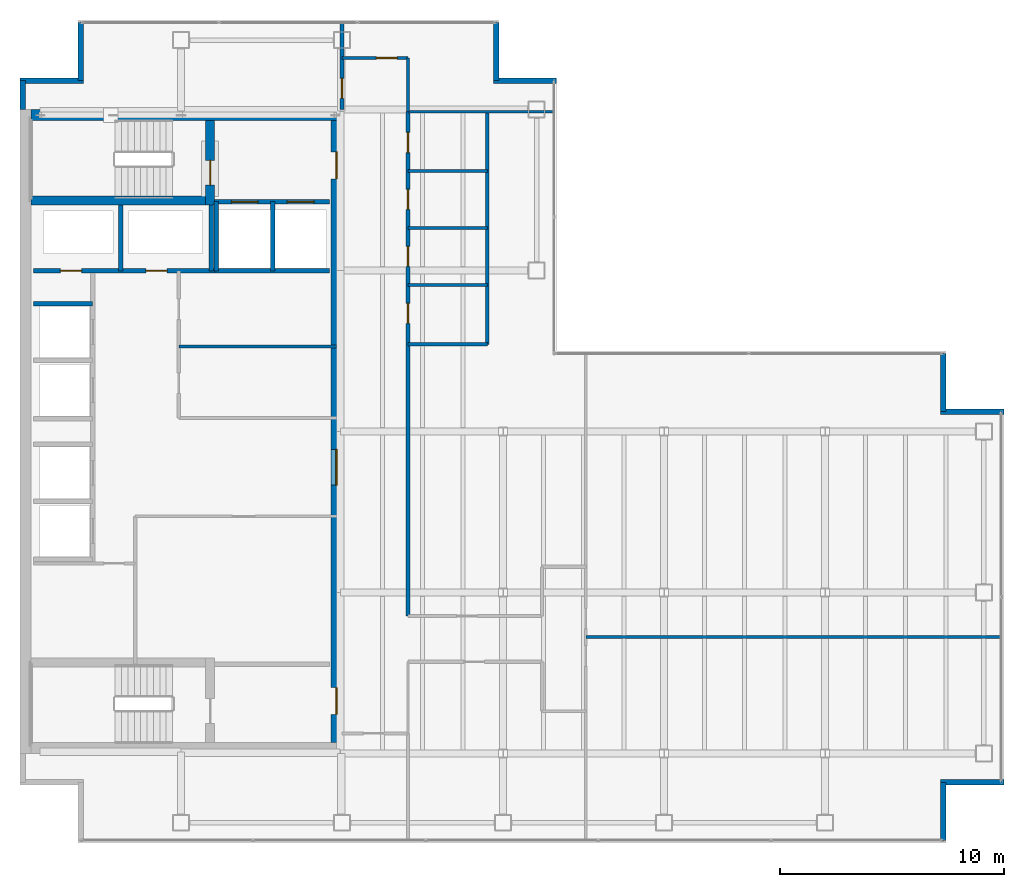
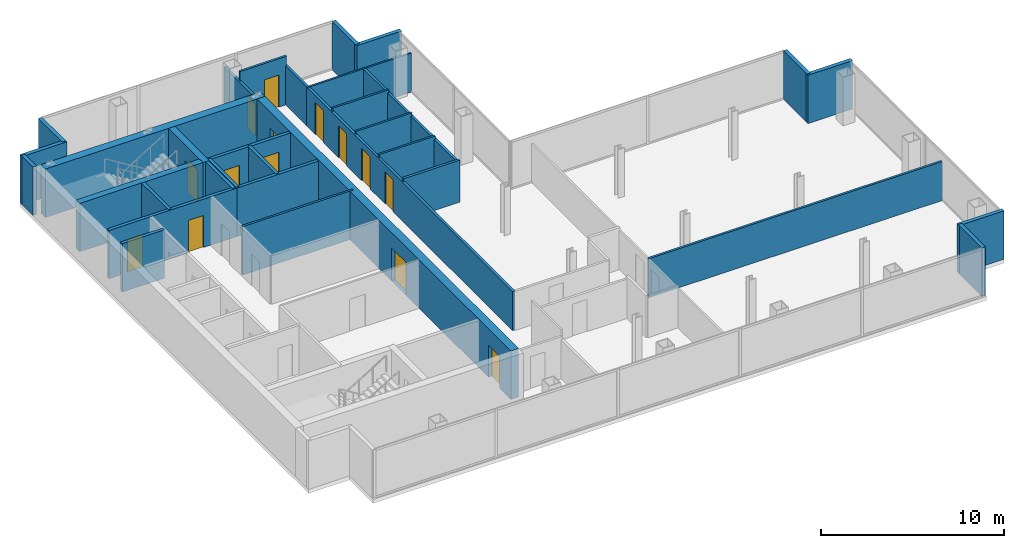
# One storey, part 21 of 23: 33 walls, 14 doors, 14 openings.
"""IFC4 building model written with IfcOpenShell, lengths in metres."""

from ifc_helpers import new_model, si_unit, direction, frame, frame_2d, origin, place, context, subcontext, project, spatial, rectangle, extrude, material, layer, layer_set, type_object, element, fill, save


model = new_model("IFC4")

# Units and contexts
model_context = context("Model", 3, precision=1e-05, world=origin(), true_north=direction((0.0, 1.0)))
body_context = subcontext(model_context, "Body", "Model", "MODEL_VIEW")
ifc_project = project(units=[si_unit("LENGTHUNIT", "METRE"), si_unit("AREAUNIT", "SQUARE_METRE"), si_unit("VOLUMEUNIT", "CUBIC_METRE"), si_unit("PLANEANGLEUNIT", "RADIAN"), si_unit("MASSUNIT", "GRAM", prefix="KILO")], contexts=[model_context])

# Site, building, storey
site_placement = place(None, origin())
site = spatial("IfcSite", under=ifc_project, at=site_placement, CompositionType="ELEMENT")
building_placement = place(site_placement, origin())
building = spatial("IfcBuilding", under=site, at=building_placement, Name="Cobrela Telecom Tower", CompositionType="ELEMENT")
storey_placement = place(building_placement, frame((0.0, 0.0, 201.25)))
storey = spatial("IfcBuildingStorey", under=building, at=storey_placement, Name="L51", CompositionType="ELEMENT", Elevation=201.25)

# Wall
ifc_material_1 = material(Name="Concrete C40/50", Category="concrete")
ifc_layer_1 = layer(ifc_material_1, 0.5)
ifc_layer_set_1 = layer_set([ifc_layer_1], Name="Concrete C40/50")
wall_type_1 = type_object("IfcWallType", Name="WALL-CORE-C40-500", PredefinedType="SHEAR", material=ifc_layer_set_1)
wall_1_placement = place(storey_placement, frame((0.5, 35.75, 0.0), z_axis=(0.0, 0.0, 1.0), x_axis=(1.0, 0.0, 0.0)))
element("IfcWall", 1, at=wall_1_placement, inside=storey, type_object=wall_type_1, Name="L51 North Core Shear Wall", PredefinedType="SHEAR", context=body_context, shape_type="SweptSolid", body=[
    extrude(rectangle(XDim=13.89990234375, YDim=0.5, at=frame_2d((6.949951171875, 0.0))), origin(), (0.0, 0.0, 1.0), 3.239990234375),
])

# Wall, openings, doors
wall_2_placement = place(storey_placement, frame((14.14990234375, 35.5, 0.0), z_axis=(0.0, 0.0, 1.0), x_axis=(0.0, -1.0, 0.0)))
wall_2 = element("IfcWall", 2, at=wall_2_placement, inside=storey, type_object=wall_type_1, Name="L51 East Core Shear Wall", PredefinedType="SHEAR", context=body_context, shape_type="SweptSolid", body=[
    extrude(rectangle(XDim=27.800048828125, YDim=0.5, at=frame_2d((13.89990234375, 0.0))), origin(), (0.0, 0.0, 1.0), 3.239990234375),
])
opening_1_placement = place(wall_2_placement, frame((1.39990234375, 0.0, 0.0)))
opening_1 = element("IfcOpeningElement", 3, at=opening_1_placement, cuts=wall_2, Name="Opening DR-19", PredefinedType="OPENING", context=body_context, shape_type="SweptSolid", body=[
    extrude(rectangle(XDim=1.199951171875, YDim=2.14990234375, at=frame_2d((0.60009765625, 1.074951171875))), frame((0.0, 0.261962890625, 0.0), z_axis=(0.0, -1.0, 0.0), x_axis=(1.0, 0.0, 0.0)), (0.0, 0.0, 1.0), 0.52392578125),
])
opening_2_placement = place(wall_2_placement, frame((25.35009765625, 0.0, 0.0)))
opening_2 = element("IfcOpeningElement", 4, at=opening_2_placement, cuts=wall_2, Name="Opening DR-19", PredefinedType="OPENING", context=body_context, shape_type="SweptSolid", body=[
    extrude(rectangle(XDim=1.199951171875, YDim=2.14990234375, at=frame_2d((0.60009765625, 1.074951171875))), frame((0.0, 0.261962890625, 0.0), z_axis=(0.0, -1.0, 0.0), x_axis=(1.0, 0.0, 0.0)), (0.0, 0.0, 1.0), 0.52392578125),
])
opening_3_placement = place(wall_2_placement, frame((14.699951171875, 0.0, 0.0)))
opening_3 = element("IfcOpeningElement", 5, at=opening_3_placement, cuts=wall_2, Name="Opening DR-51", PredefinedType="OPENING", context=body_context, shape_type="SweptSolid", body=[
    extrude(rectangle(XDim=1.60009765625, YDim=2.199951171875, at=frame_2d((0.800048828125, 1.10009765625))), frame((0.0, 0.261962890625, 0.0), z_axis=(0.0, -1.0, 0.0), x_axis=(1.0, 0.0, 0.0)), (0.0, 0.0, 1.0), 0.52392578125),
])
ifc_material_2 = material(Name="Steel ASTM A36", Category="steel")
door_type_1 = type_object("IfcDoorType", Name="DOOR-FD60-1200", OperationType="SINGLE_SWING_LEFT", PredefinedType="DOOR", material=ifc_material_2)
door_1_placement = place(opening_1_placement, origin())
door_1 = element("IfcDoor", 6, at=door_1_placement, inside=storey, type_object=door_type_1, Name="L51 Door DR-19", OperationType="SINGLE_SWING_LEFT", OverallHeight=2.14990234375, OverallWidth=1.199951171875, PredefinedType="DOOR", context=body_context, shape_type="SweptSolid", body=[
    extrude(rectangle(XDim=1.199951171875, YDim=2.14990234375, at=frame_2d((0.60009765625, 1.074951171875))), frame((0.0, 0.02490234375, 0.0), z_axis=(0.0, -1.0, 0.0), x_axis=(1.0, 0.0, 0.0)), (0.0, 0.0, 1.0), 0.050048828125),
])
fill(opening_1, door_1)
door_2_placement = place(opening_2_placement, origin())
door_2 = element("IfcDoor", 7, at=door_2_placement, inside=storey, type_object=door_type_1, Name="L51 Door DR-19", OperationType="SINGLE_SWING_RIGHT", OverallHeight=2.14990234375, OverallWidth=1.199951171875, PredefinedType="DOOR", context=body_context, shape_type="SweptSolid", body=[
    extrude(rectangle(XDim=1.199951171875, YDim=2.14990234375, at=frame_2d((0.60009765625, 1.074951171875))), frame((0.0, 0.02490234375, 0.0), z_axis=(0.0, -1.0, 0.0), x_axis=(1.0, 0.0, 0.0)), (0.0, 0.0, 1.0), 0.050048828125),
])
fill(opening_2, door_2)
door_type_2 = type_object("IfcDoorType", Name="DOOR-FD60-1600", OperationType="SINGLE_SWING_LEFT", PredefinedType="DOOR", material=ifc_material_2)
door_3_placement = place(opening_3_placement, origin())
door_3 = element("IfcDoor", 8, at=door_3_placement, inside=storey, type_object=door_type_2, Name="L51 Door DR-51", OperationType="DOUBLE_DOOR_SINGLE_SWING", OverallHeight=2.199951171875, OverallWidth=1.60009765625, PredefinedType="DOOR", context=body_context, shape_type="SweptSolid", body=[
    extrude(rectangle(XDim=1.60009765625, YDim=2.199951171875, at=frame_2d((0.800048828125, 1.10009765625))), frame((0.0, 0.02490234375, 0.0), z_axis=(0.0, -1.0, 0.0), x_axis=(1.0, 0.0, 0.0)), (0.0, 0.0, 1.0), 0.050048828125),
])
fill(opening_3, door_3)

# Walls
ifc_layer_2 = layer(ifc_material_1, 0.239990234375)
ifc_layer_set_2 = layer_set([ifc_layer_2], Name="Concrete C40/50")
wall_type_2 = type_object("IfcWallType", Name="WALL-EXT-300", PredefinedType="STANDARD", material=ifc_layer_set_2)
wall_3_placement = place(storey_placement, frame((0.1201171875, 36.0, 0.0), z_axis=(0.0, 0.0, 1.0), x_axis=(0.0, 1.0, 0.0)))
element("IfcWall", 9, at=wall_3_placement, inside=storey, type_object=wall_type_2, Name="L51 Insulated Facade Wall 04", PredefinedType="STANDARD", context=body_context, shape_type="SweptSolid", body=[
    extrude(rectangle(XDim=1.2900390625, YDim=0.239990234375, at=frame_2d((0.64501953125, 0.0))), origin(), (0.0, 0.0, 1.0), 3.239990234375),
])
wall_4_placement = place(storey_placement, frame((0.0, 37.2900390625, 0.0), z_axis=(0.0, 0.0, 1.0), x_axis=(1.0, 0.0, 0.0)))
element("IfcWall", 10, at=wall_4_placement, inside=storey, type_object=wall_type_2, Name="L51 Insulated Facade Wall 05", PredefinedType="STANDARD", context=body_context, shape_type="SweptSolid", body=[
    extrude(rectangle(XDim=2.830078125, YDim=0.239990234375, at=frame_2d((1.4150390625, 0.0))), origin(), (0.0, 0.0, 1.0), 3.239990234375),
])
for number, where, z_axis, x_axis, name in (
    (11, (2.7099609375, 37.2900390625, 0.0), (0.0, 0.0, 1.0), (0.0, 1.0, 0.0), "L51 Insulated Facade Wall 06"),
    (12, (21.2900390625, 39.8798828125, 0.0), (0.0, 0.0, 1.0), (0.0, -1.0, 0.0), "L51 Insulated Facade Wall 08"),
):
    element("IfcWall", number, at=place(storey_placement, frame(where, z_axis=z_axis, x_axis=x_axis)), inside=storey, type_object=wall_type_2, Name=name, PredefinedType="STANDARD", context=body_context, shape_type="SweptSolid", body=[
        extrude(rectangle(XDim=2.58984375, YDim=0.239990234375, at=frame_2d((1.294921875, 0.0))), origin(), (0.0, 0.0, 1.0), 3.239990234375),
    ])
wall_5_placement = place(storey_placement, frame((21.169921875, 37.2900390625, 0.0), z_axis=(0.0, 0.0, 1.0), x_axis=(1.0, 0.0, 0.0)))
element("IfcWall", 13, at=wall_5_placement, inside=storey, type_object=wall_type_2, Name="L51 Insulated Facade Wall 09", PredefinedType="STANDARD", context=body_context, shape_type="SweptSolid", body=[
    extrude(rectangle(XDim=2.830078125, YDim=0.239990234375, at=frame_2d((1.4150390625, 0.0))), origin(), (0.0, 0.0, 1.0), 3.239990234375),
])
wall_6_placement = place(storey_placement, frame((41.2900390625, 25.080078125, 0.0), z_axis=(0.0, 0.0, 1.0), x_axis=(0.0, -1.0, 0.0)))
element("IfcWall", 14, at=wall_6_placement, inside=storey, type_object=wall_type_2, Name="L51 Insulated Facade Wall 12", PredefinedType="STANDARD", context=body_context, shape_type="SweptSolid", body=[
    extrude(rectangle(XDim=2.590087890625, YDim=0.239990234375, at=frame_2d((1.294921875, 0.0))), origin(), (0.0, 0.0, 1.0), 3.239990234375),
])
for number, where, z_axis, x_axis, name in (
    (15, (41.169921875, 22.489990234375, 0.0), (0.0, 0.0, 1.0), (1.0, 0.0, 0.0), "L51 Insulated Facade Wall 13"),
    (16, (44.0, 5.909912109375, 0.0), (0.0, 0.0, 1.0), (-1.0, 0.0, 0.0), "L51 Insulated Facade Wall 15"),
):
    element("IfcWall", number, at=place(storey_placement, frame(where, z_axis=z_axis, x_axis=x_axis)), inside=storey, type_object=wall_type_2, Name=name, PredefinedType="STANDARD", context=body_context, shape_type="SweptSolid", body=[
        extrude(rectangle(XDim=2.830078125, YDim=0.239990234375, at=frame_2d((1.4150390625, 0.0))), origin(), (0.0, 0.0, 1.0), 3.239990234375),
    ])
wall_7_placement = place(storey_placement, frame((41.2900390625, 5.909912109375, 0.0), z_axis=(0.0, 0.0, 1.0), x_axis=(0.0, -1.0, 0.0)))
element("IfcWall", 17, at=wall_7_placement, inside=storey, type_object=wall_type_2, Name="L51 Insulated Facade Wall 16", PredefinedType="STANDARD", context=body_context, shape_type="SweptSolid", body=[
    extrude(rectangle(XDim=2.58984375, YDim=0.239990234375, at=frame_2d((1.294921875, 0.0))), origin(), (0.0, 0.0, 1.0), 3.239990234375),
])
ifc_material_3 = material(Name="Fire-Rated Gypsum Plasterboard")
ifc_layer_3 = layer(ifc_material_3, 0.110107421875)
ifc_layer_set_3 = layer_set([ifc_layer_3], Name="Fire-Rated Gypsum Plasterboard")
wall_type_3 = type_object("IfcWallType", Name="WALL-PART-110", PredefinedType="PARTITIONING", material=ifc_layer_set_3)
wall_8_placement = place(storey_placement, frame((17.35009765625, 35.89990234375, 0.0), z_axis=(0.0, 0.0, 1.0), x_axis=(1.0, 0.0, 0.0)))
element("IfcWall", 18, at=wall_8_placement, inside=storey, type_object=wall_type_3, Name="L51 Interior Partition W-NW2-S", PredefinedType="PARTITIONING", context=body_context, shape_type="SweptSolid", body=[
    extrude(rectangle(XDim=6.52978515625, YDim=0.110107421875, at=frame_2d((3.264892578125, 0.0))), origin(), (0.0, 0.0, 1.0), 2.613037109375),
])
ifc_layer_4 = layer(ifc_material_3, 0.125)
ifc_layer_set_4 = layer_set([ifc_layer_4], Name="Fire-Rated Gypsum Plasterboard")
wall_type_4 = type_object("IfcWallType", Name="WALL-PART-125", PredefinedType="PARTITIONING", material=ifc_layer_set_4)
for number, where, z_axis, x_axis, name in (
    (19, (17.35009765625, 28.14990234375, 0.0), (0.0, 0.0, 1.0), (1.0, 0.0, 0.0), "L51 Interior Partition W-WCD-1"),
    (20, (17.35009765625, 30.699951171875, 0.0), (0.0, 0.0, 1.0), (1.0, 0.0, 0.0), "L51 Interior Partition W-WCD-2"),
    (21, (17.35009765625, 33.25, 0.0), (0.0, 0.0, 1.0), (1.0, 0.0, 0.0), "L51 Interior Partition W-WCD-3"),
):
    element("IfcWall", number, at=place(storey_placement, frame(where, z_axis=z_axis, x_axis=x_axis)), inside=storey, type_object=wall_type_4, Name=name, PredefinedType="PARTITIONING", context=body_context, shape_type="SweptSolid", body=[
        extrude(rectangle(XDim=3.5498046875, YDim=0.125, at=frame_2d((1.77490234375, 0.0))), origin(), (0.0, 0.0, 1.0), 2.80810546875),
    ])
ifc_layer_5 = layer(ifc_material_3, 0.135009765625)
ifc_layer_set_5 = layer_set([ifc_layer_5], Name="Fire-Rated Gypsum Plasterboard")
wall_type_5 = type_object("IfcWallType", Name="WALL-PART-135", PredefinedType="PARTITIONING", material=ifc_layer_set_5)
wall_9_placement = place(storey_placement, frame((7.10009765625, 25.39990234375, 0.0), z_axis=(0.0, 0.0, 1.0), x_axis=(1.0, 0.0, 0.0)))
element("IfcWall", 22, at=wall_9_placement, inside=storey, type_object=wall_type_5, Name="L51 Interior Partition CW-RECL-H", PredefinedType="PARTITIONING", context=body_context, shape_type="SweptSolid", body=[
    extrude(rectangle(XDim=7.0498046875, YDim=0.135009765625, at=frame_2d((3.52490234375, 0.0))), origin(), (0.0, 0.0, 1.0), 3.239990234375),
])

# Wall, opening, door
wall_10_placement = place(storey_placement, frame((14.39990234375, 38.300048828125, 0.0), z_axis=(0.0, 0.0, 1.0), x_axis=(1.0, 0.0, 0.0)))
wall_10 = element("IfcWall", 23, at=wall_10_placement, inside=storey, type_object=wall_type_5, Name="L51 Interior Partition W-CN-T", PredefinedType="PARTITIONING", context=body_context, shape_type="SweptSolid", body=[
    extrude(rectangle(XDim=2.9501953125, YDim=0.135009765625, at=frame_2d((1.47509765625, 0.0))), origin(), (0.0, 0.0, 1.0), 3.239990234375),
])
opening_4_placement = place(wall_10_placement, frame((1.5400390625, 0.0, 0.0)))
opening_4 = element("IfcOpeningElement", 24, at=opening_4_placement, cuts=wall_10, Name="Opening DR-45", PredefinedType="OPENING", context=body_context, shape_type="SweptSolid", body=[
    extrude(rectangle(XDim=0.919921875, YDim=2.14990234375, at=frame_2d((0.4599609375, 1.074951171875))), frame((0.0, 0.07958984375, 0.0), z_axis=(0.0, -1.0, 0.0), x_axis=(1.0, 0.0, 0.0)), (0.0, 0.0, 1.0), 0.158935546875),
])
ifc_material_4 = material(Name="Solid Engineered Oak Timber", Category="wood")
door_type_3 = type_object("IfcDoorType", Name="DOOR-INT-920", OperationType="SINGLE_SWING_LEFT", PredefinedType="DOOR", material=ifc_material_4)
door_4_placement = place(opening_4_placement, origin())
door_4 = element("IfcDoor", 25, at=door_4_placement, inside=storey, type_object=door_type_3, Name="L51 Door DR-45", OperationType="SINGLE_SWING_RIGHT", OverallHeight=2.14990234375, OverallWidth=0.919921875, PredefinedType="DOOR", context=body_context, shape_type="SweptSolid", body=[
    extrude(rectangle(XDim=0.919921875, YDim=2.14990234375, at=frame_2d((0.4599609375, 1.074951171875))), frame((0.0, 0.02490234375, 0.0), z_axis=(0.0, -1.0, 0.0), x_axis=(1.0, 0.0, 0.0)), (0.0, 0.0, 1.0), 0.050048828125),
])
fill(opening_4, door_4)

# Walls
wall_11_placement = place(storey_placement, frame((25.300048828125, 12.39990234375, 0.0), z_axis=(0.0, 0.0, 1.0), x_axis=(1.0, 0.0, 0.0)))
element("IfcWall", 26, at=wall_11_placement, inside=storey, type_object=wall_type_5, Name="L51 Interior Partition W-FE-H", PredefinedType="PARTITIONING", context=body_context, shape_type="SweptSolid", body=[
    extrude(rectangle(XDim=18.579833984375, YDim=0.135009765625, at=frame_2d((9.2900390625, 0.0))), origin(), (0.0, 0.0, 1.0), 2.613037109375),
])
ifc_layer_6 = layer(ifc_material_3, 0.14990234375)
ifc_layer_set_6 = layer_set([ifc_layer_6], Name="Fire-Rated Gypsum Plasterboard")
wall_type_6 = type_object("IfcWallType", Name="WALL-PART-150", PredefinedType="PARTITIONING", material=ifc_layer_set_6)
wall_12_placement = place(storey_placement, frame((17.35009765625, 35.89990234375, 0.0), z_axis=(0.0, 0.0, 1.0), x_axis=(0.0, 1.0, 0.0)))
element("IfcWall", 27, at=wall_12_placement, inside=storey, type_object=wall_type_6, Name="L51 Interior Partition W-CN-E", PredefinedType="PARTITIONING", context=body_context, shape_type="SweptSolid", body=[
    extrude(rectangle(XDim=2.400146484375, YDim=0.14990234375, at=frame_2d((1.2001953125, 0.0))), origin(), (0.0, 0.0, 1.0), 2.613037109375),
])
wall_13_placement = place(storey_placement, frame((20.89990234375, 25.5, 0.0), z_axis=(0.0, 0.0, 1.0), x_axis=(0.0, 1.0, 0.0)))
element("IfcWall", 28, at=wall_13_placement, inside=storey, type_object=wall_type_6, Name="L51 Interior Partition W-WC-E", PredefinedType="PARTITIONING", context=body_context, shape_type="SweptSolid", body=[
    extrude(rectangle(XDim=10.39990234375, YDim=0.14990234375, at=frame_2d((5.199951171875, 0.0))), origin(), (0.0, 0.0, 1.0), 2.613037109375),
])

# Wall, openings, doors
ifc_layer_7 = layer(ifc_material_3, 0.159912109375)
ifc_layer_set_7 = layer_set([ifc_layer_7], Name="Fire-Rated Gypsum Plasterboard")
wall_type_7 = type_object("IfcWallType", Name="WALL-PART-160", PredefinedType="PARTITIONING", material=ifc_layer_set_7)
wall_14_placement = place(storey_placement, frame((17.35009765625, 13.35009765625, 0.0), z_axis=(0.0, 0.0, 1.0), x_axis=(0.0, 1.0, 0.0)))
wall_14 = element("IfcWall", 29, at=wall_14_placement, inside=storey, type_object=wall_type_7, Name="L51 Interior Partition W-C-E2", PredefinedType="PARTITIONING", context=body_context, shape_type="SweptSolid", body=[
    extrude(rectangle(XDim=22.5498046875, YDim=0.159912109375, at=frame_2d((11.27490234375, 0.0))), origin(), (0.0, 0.0, 1.0), 2.613037109375),
])
opening_5_placement = place(wall_14_placement, frame((13.080078125, 0.0, 0.0)))
opening_5 = element("IfcOpeningElement", 30, at=opening_5_placement, cuts=wall_14, Name="Opening DR-41", PredefinedType="OPENING", context=body_context, shape_type="SweptSolid", body=[
    extrude(rectangle(XDim=0.89990234375, YDim=2.14990234375, at=frame_2d((0.449951171875, 1.074951171875))), frame((0.0, 0.091796875, 0.0), z_axis=(0.0, -1.0, 0.0), x_axis=(1.0, 0.0, 0.0)), (0.0, 0.0, 1.0), 0.183837890625),
])
opening_6_placement = place(wall_14_placement, frame((15.6298828125, 0.0, 0.0)))
opening_6 = element("IfcOpeningElement", 31, at=opening_6_placement, cuts=wall_14, Name="Opening DR-41", PredefinedType="OPENING", context=body_context, shape_type="SweptSolid", body=[
    extrude(rectangle(XDim=0.89990234375, YDim=2.14990234375, at=frame_2d((0.449951171875, 1.074951171875))), frame((0.0, 0.091796875, 0.0), z_axis=(0.0, -1.0, 0.0), x_axis=(1.0, 0.0, 0.0)), (0.0, 0.0, 1.0), 0.183837890625),
])
opening_7_placement = place(wall_14_placement, frame((18.179931640625, 0.0, 0.0)))
opening_7 = element("IfcOpeningElement", 32, at=opening_7_placement, cuts=wall_14, Name="Opening DR-41", PredefinedType="OPENING", context=body_context, shape_type="SweptSolid", body=[
    extrude(rectangle(XDim=0.89990234375, YDim=2.14990234375, at=frame_2d((0.449951171875, 1.074951171875))), frame((0.0, 0.091796875, 0.0), z_axis=(0.0, -1.0, 0.0), x_axis=(1.0, 0.0, 0.0)), (0.0, 0.0, 1.0), 0.183837890625),
])
opening_8_placement = place(wall_14_placement, frame((20.719970703125, 0.0, 0.0)))
opening_8 = element("IfcOpeningElement", 33, at=opening_8_placement, cuts=wall_14, Name="Opening DR-41", PredefinedType="OPENING", context=body_context, shape_type="SweptSolid", body=[
    extrude(rectangle(XDim=0.89990234375, YDim=2.14990234375, at=frame_2d((0.449951171875, 1.074951171875))), frame((0.0, 0.091796875, 0.0), z_axis=(0.0, -1.0, 0.0), x_axis=(1.0, 0.0, 0.0)), (0.0, 0.0, 1.0), 0.183837890625),
])
door_type_4 = type_object("IfcDoorType", Name="DOOR-INT-900", OperationType="SINGLE_SWING_LEFT", PredefinedType="DOOR", material=ifc_material_4)
door_5_placement = place(opening_5_placement, origin())
door_5 = element("IfcDoor", 34, at=door_5_placement, inside=storey, type_object=door_type_4, Name="L51 Door DR-41", OperationType="SINGLE_SWING_LEFT", OverallHeight=2.14990234375, OverallWidth=0.89990234375, PredefinedType="DOOR", context=body_context, shape_type="SweptSolid", body=[
    extrude(rectangle(XDim=0.89990234375, YDim=2.14990234375, at=frame_2d((0.449951171875, 1.074951171875))), frame((0.0, 0.02490234375, 0.0), z_axis=(0.0, -1.0, 0.0), x_axis=(1.0, 0.0, 0.0)), (0.0, 0.0, 1.0), 0.050048828125),
])
fill(opening_5, door_5)
door_6_placement = place(opening_6_placement, origin())
door_6 = element("IfcDoor", 35, at=door_6_placement, inside=storey, type_object=door_type_4, Name="L51 Door DR-41", OperationType="SINGLE_SWING_RIGHT", OverallHeight=2.14990234375, OverallWidth=0.89990234375, PredefinedType="DOOR", context=body_context, shape_type="SweptSolid", body=[
    extrude(rectangle(XDim=0.89990234375, YDim=2.14990234375, at=frame_2d((0.449951171875, 1.074951171875))), frame((0.0, 0.02490234375, 0.0), z_axis=(0.0, -1.0, 0.0), x_axis=(1.0, 0.0, 0.0)), (0.0, 0.0, 1.0), 0.050048828125),
])
fill(opening_6, door_6)
door_7_placement = place(opening_7_placement, origin())
door_7 = element("IfcDoor", 36, at=door_7_placement, inside=storey, type_object=door_type_4, Name="L51 Door DR-41", OperationType="SINGLE_SWING_LEFT", OverallHeight=2.14990234375, OverallWidth=0.89990234375, PredefinedType="DOOR", context=body_context, shape_type="SweptSolid", body=[
    extrude(rectangle(XDim=0.89990234375, YDim=2.14990234375, at=frame_2d((0.449951171875, 1.074951171875))), frame((0.0, 0.02490234375, 0.0), z_axis=(0.0, -1.0, 0.0), x_axis=(1.0, 0.0, 0.0)), (0.0, 0.0, 1.0), 0.050048828125),
])
fill(opening_7, door_7)
door_8_placement = place(opening_8_placement, origin())
door_8 = element("IfcDoor", 37, at=door_8_placement, inside=storey, type_object=door_type_4, Name="L51 Door DR-41", OperationType="SINGLE_SWING_RIGHT", OverallHeight=2.14990234375, OverallWidth=0.89990234375, PredefinedType="DOOR", context=body_context, shape_type="SweptSolid", body=[
    extrude(rectangle(XDim=0.89990234375, YDim=2.14990234375, at=frame_2d((0.449951171875, 1.074951171875))), frame((0.0, 0.02490234375, 0.0), z_axis=(0.0, -1.0, 0.0), x_axis=(1.0, 0.0, 0.0)), (0.0, 0.0, 1.0), 0.050048828125),
])
fill(opening_8, door_8)

# Wall, opening, door
wall_15_placement = place(storey_placement, frame((14.39990234375, 36.0, 0.0), z_axis=(0.0, 0.0, 1.0), x_axis=(0.0, 1.0, 0.0)))
wall_15 = element("IfcWall", 38, at=wall_15_placement, inside=storey, type_object=wall_type_7, Name="L51 Interior Partition W-CN-W", PredefinedType="PARTITIONING", context=body_context, shape_type="SweptSolid", body=[
    extrude(rectangle(XDim=3.8798828125, YDim=0.159912109375, at=frame_2d((1.93994140625, 0.0))), origin(), (0.0, 0.0, 1.0), 2.613037109375),
])
opening_9_placement = place(wall_15_placement, frame((0.489990234375, 0.0, 0.0)))
opening_9 = element("IfcOpeningElement", 39, at=opening_9_placement, cuts=wall_15, Name="Opening DR-41", PredefinedType="OPENING", context=body_context, shape_type="SweptSolid", body=[
    extrude(rectangle(XDim=0.89990234375, YDim=2.14990234375, at=frame_2d((0.449951171875, 1.074951171875))), frame((0.0, 0.091796875, 0.0), z_axis=(0.0, -1.0, 0.0), x_axis=(1.0, 0.0, 0.0)), (0.0, 0.0, 1.0), 0.183837890625),
])
door_9_placement = place(opening_9_placement, origin())
door_9 = element("IfcDoor", 40, at=door_9_placement, inside=storey, type_object=door_type_4, Name="L51 Door DR-41", OperationType="SINGLE_SWING_LEFT", OverallHeight=2.14990234375, OverallWidth=0.89990234375, PredefinedType="DOOR", context=body_context, shape_type="SweptSolid", body=[
    extrude(rectangle(XDim=0.89990234375, YDim=2.14990234375, at=frame_2d((0.449951171875, 1.074951171875))), frame((0.0, 0.02490234375, 0.0), z_axis=(0.0, -1.0, 0.0), x_axis=(1.0, 0.0, 0.0)), (0.0, 0.0, 1.0), 0.050048828125),
])
fill(opening_9, door_9)

# Wall
wall_16_placement = place(storey_placement, frame((17.35009765625, 25.5, 0.0), z_axis=(0.0, 0.0, 1.0), x_axis=(1.0, 0.0, 0.0)))
element("IfcWall", 41, at=wall_16_placement, inside=storey, type_object=wall_type_7, Name="L51 Interior Partition W-WC-S", PredefinedType="PARTITIONING", context=body_context, shape_type="SweptSolid", body=[
    extrude(rectangle(XDim=3.5498046875, YDim=0.159912109375, at=frame_2d((1.77490234375, 0.0))), origin(), (0.0, 0.0, 1.0), 2.80810546875),
])

# Wall, openings, doors
ifc_layer_8 = layer(ifc_material_3, 0.199951171875)
ifc_layer_set_8 = layer_set([ifc_layer_8], Name="Fire-Rated Gypsum Plasterboard")
wall_type_8 = type_object("IfcWallType", Name="WALL-SHAFT-200", PredefinedType="PARTITIONING", material=ifc_layer_set_8)
wall_17_placement = place(storey_placement, frame((8.699951171875, 31.8798828125, 0.0), z_axis=(0.0, 0.0, 1.0), x_axis=(1.0, 0.0, 0.0)))
wall_17 = element("IfcWall", 42, at=wall_17_placement, inside=storey, type_object=wall_type_8, Name="L51 Shaft Enclosure CW-FFL-S", PredefinedType="PARTITIONING", context=body_context, shape_type="SweptSolid", body=[
    extrude(rectangle(XDim=5.150146484375, YDim=0.199951171875, at=frame_2d((2.5751953125, 0.0))), origin(), (0.0, 0.0, 1.0), 3.239990234375),
])
opening_10_placement = place(wall_17_placement, frame((0.75, 0.0, 0.0)))
opening_10 = element("IfcOpeningElement", 43, at=opening_10_placement, cuts=wall_17, Name="Opening LD-2", PredefinedType="OPENING", context=body_context, shape_type="SweptSolid", body=[
    extrude(rectangle(XDim=1.199951171875, YDim=2.199951171875, at=frame_2d((0.60009765625, 1.10009765625))), frame((0.0, 0.11181640625, 0.0), z_axis=(0.0, -1.0, 0.0), x_axis=(1.0, 0.0, 0.0)), (0.0, 0.0, 1.0), 0.223876953125),
])
opening_11_placement = place(wall_17_placement, frame((3.25, 0.0, 0.0)))
opening_11 = element("IfcOpeningElement", 44, at=opening_11_placement, cuts=wall_17, Name="Opening LD-2", PredefinedType="OPENING", context=body_context, shape_type="SweptSolid", body=[
    extrude(rectangle(XDim=1.199951171875, YDim=2.199951171875, at=frame_2d((0.60009765625, 1.10009765625))), frame((0.0, 0.11181640625, 0.0), z_axis=(0.0, -1.0, 0.0), x_axis=(1.0, 0.0, 0.0)), (0.0, 0.0, 1.0), 0.223876953125),
])
door_type_5 = type_object("IfcDoorType", Name="DOOR-LD-FFL", OperationType="SINGLE_SWING_LEFT", PredefinedType="DOOR", material=ifc_material_2)
door_10_placement = place(opening_10_placement, origin())
door_10 = element("IfcDoor", 45, at=door_10_placement, inside=storey, type_object=door_type_5, Name="L51 Lift Landing Door LD-2", OperationType="DOUBLE_DOOR_SLIDING", OverallHeight=2.199951171875, OverallWidth=1.199951171875, PredefinedType="DOOR", context=body_context, shape_type="SweptSolid", body=[
    extrude(rectangle(XDim=1.199951171875, YDim=2.199951171875, at=frame_2d((0.60009765625, 1.10009765625))), frame((0.0, 0.02490234375, 0.0), z_axis=(0.0, -1.0, 0.0), x_axis=(1.0, 0.0, 0.0)), (0.0, 0.0, 1.0), 0.050048828125),
])
fill(opening_10, door_10)
door_11_placement = place(opening_11_placement, origin())
door_11 = element("IfcDoor", 46, at=door_11_placement, inside=storey, type_object=door_type_5, Name="L51 Lift Landing Door LD-2", OperationType="DOUBLE_DOOR_SLIDING", OverallHeight=2.199951171875, OverallWidth=1.199951171875, PredefinedType="DOOR", context=body_context, shape_type="SweptSolid", body=[
    extrude(rectangle(XDim=1.199951171875, YDim=2.199951171875, at=frame_2d((0.60009765625, 1.10009765625))), frame((0.0, 0.02490234375, 0.0), z_axis=(0.0, -1.0, 0.0), x_axis=(1.0, 0.0, 0.0)), (0.0, 0.0, 1.0), 0.050048828125),
])
fill(opening_11, door_11)

# Walls
wall_18_placement = place(storey_placement, frame((8.699951171875, 28.780029296875, 0.0), z_axis=(0.0, 0.0, 1.0), x_axis=(1.0, 0.0, 0.0)))
element("IfcWall", 47, at=wall_18_placement, inside=storey, type_object=wall_type_8, Name="L51 Shaft Enclosure CW-FFL-S2", PredefinedType="PARTITIONING", context=body_context, shape_type="SweptSolid", body=[
    extrude(rectangle(XDim=5.150146484375, YDim=0.199951171875, at=frame_2d((2.5751953125, 0.0))), origin(), (0.0, 0.0, 1.0), 3.239990234375),
])
for number, where, z_axis, x_axis, name in (
    (48, (8.780029296875, 28.780029296875, 0.0), (0.0, 0.0, 1.0), (0.0, 1.0, 0.0), "L51 Shaft Enclosure CW-FFL-W"),
    (49, (11.300048828125, 28.780029296875, 0.0), (0.0, 0.0, 1.0), (0.0, 1.0, 0.0), "L51 Shaft Enclosure CW-FFL-M"),
):
    element("IfcWall", number, at=place(storey_placement, frame(where, z_axis=z_axis, x_axis=x_axis)), inside=storey, type_object=wall_type_8, Name=name, PredefinedType="PARTITIONING", context=body_context, shape_type="SweptSolid", body=[
        extrude(rectangle(XDim=3.099853515625, YDim=0.199951171875, at=frame_2d((1.5498046875, 0.0))), origin(), (0.0, 0.0, 1.0), 3.239990234375),
    ])

# Wall, openings, doors
wall_19_placement = place(storey_placement, frame((0.60009765625, 28.780029296875, 0.0), z_axis=(0.0, 0.0, 1.0), x_axis=(1.0, 0.0, 0.0)))
wall_19 = element("IfcWall", 50, at=wall_19_placement, inside=storey, type_object=wall_type_8, Name="L51 Shaft Enclosure CW-RIS-S", PredefinedType="PARTITIONING", context=body_context, shape_type="SweptSolid", body=[
    extrude(rectangle(XDim=8.179931640625, YDim=0.199951171875, at=frame_2d((4.08984375, 0.0))), origin(), (0.0, 0.0, 1.0), 3.239990234375),
])
opening_12_placement = place(wall_19_placement, frame((1.2099609375, 0.0, 0.0)))
opening_12 = element("IfcOpeningElement", 51, at=opening_12_placement, cuts=wall_19, Name="Opening DR-65", PredefinedType="OPENING", context=body_context, shape_type="SweptSolid", body=[
    extrude(rectangle(XDim=0.949951171875, YDim=2.14990234375, at=frame_2d((0.47509765625, 1.074951171875))), frame((0.0, 0.11181640625, 0.0), z_axis=(0.0, -1.0, 0.0), x_axis=(1.0, 0.0, 0.0)), (0.0, 0.0, 1.0), 0.223876953125),
])
opening_13_placement = place(wall_19_placement, frame((5.030029296875, 0.0, 0.0)))
opening_13 = element("IfcOpeningElement", 52, at=opening_13_placement, cuts=wall_19, Name="Opening DR-65", PredefinedType="OPENING", context=body_context, shape_type="SweptSolid", body=[
    extrude(rectangle(XDim=0.949951171875, YDim=2.14990234375, at=frame_2d((0.47509765625, 1.074951171875))), frame((0.0, 0.11181640625, 0.0), z_axis=(0.0, -1.0, 0.0), x_axis=(1.0, 0.0, 0.0)), (0.0, 0.0, 1.0), 0.223876953125),
])
door_type_6 = type_object("IfcDoorType", Name="DOOR-FD60-950", OperationType="SINGLE_SWING_LEFT", PredefinedType="DOOR", material=ifc_material_2)
door_12_placement = place(opening_12_placement, origin())
door_12 = element("IfcDoor", 53, at=door_12_placement, inside=storey, type_object=door_type_6, Name="L51 Door DR-65", OperationType="SINGLE_SWING_LEFT", OverallHeight=2.14990234375, OverallWidth=0.949951171875, PredefinedType="DOOR", context=body_context, shape_type="SweptSolid", body=[
    extrude(rectangle(XDim=0.949951171875, YDim=2.14990234375, at=frame_2d((0.47509765625, 1.074951171875))), frame((0.0, 0.02490234375, 0.0), z_axis=(0.0, -1.0, 0.0), x_axis=(1.0, 0.0, 0.0)), (0.0, 0.0, 1.0), 0.050048828125),
])
fill(opening_12, door_12)
door_13_placement = place(opening_13_placement, origin())
door_13 = element("IfcDoor", 54, at=door_13_placement, inside=storey, type_object=door_type_6, Name="L51 Door DR-65", OperationType="SINGLE_SWING_RIGHT", OverallHeight=2.14990234375, OverallWidth=0.949951171875, PredefinedType="DOOR", context=body_context, shape_type="SweptSolid", body=[
    extrude(rectangle(XDim=0.949951171875, YDim=2.14990234375, at=frame_2d((0.47509765625, 1.074951171875))), frame((0.0, 0.02490234375, 0.0), z_axis=(0.0, -1.0, 0.0), x_axis=(1.0, 0.0, 0.0)), (0.0, 0.0, 1.0), 0.050048828125),
])
fill(opening_13, door_13)

# Walls
for number, where, z_axis, x_axis, name in (
    (55, (4.5, 28.780029296875, 0.0), (0.0, 0.0, 1.0), (0.0, 1.0, 0.0), "L51 Shaft Enclosure CW-RIS-M"),
    (56, (8.550048828125, 28.780029296875, 0.0), (0.0, 0.0, 1.0), (0.0, 1.0, 0.0), "L51 Shaft Enclosure CW-RIS-E"),
):
    element("IfcWall", number, at=place(storey_placement, frame(where, z_axis=z_axis, x_axis=x_axis)), inside=storey, type_object=wall_type_8, Name=name, PredefinedType="PARTITIONING", context=body_context, shape_type="SweptSolid", body=[
        extrude(rectangle(XDim=2.93994140625, YDim=0.199951171875, at=frame_2d((1.469970703125, 0.0))), origin(), (0.0, 0.0, 1.0), 3.239990234375),
    ])
wall_20_placement = place(storey_placement, frame((0.60009765625, 27.320068359375, 0.0), z_axis=(0.0, 0.0, 1.0), x_axis=(1.0, 0.0, 0.0)))
element("IfcWall", 57, at=wall_20_placement, inside=storey, type_object=wall_type_8, Name="L51 Shaft Enclosure CW-PLH-TOP", PredefinedType="PARTITIONING", context=body_context, shape_type="SweptSolid", body=[
    extrude(rectangle(XDim=2.64990234375, YDim=0.199951171875, at=frame_2d((1.324951171875, 0.0))), origin(), (0.0, 0.0, 1.0), 3.239990234375),
])
ifc_layer_9 = layer(ifc_material_1, 0.39990234375)
ifc_layer_set_9 = layer_set([ifc_layer_9], Name="Concrete C40/50")
wall_type_9 = type_object("IfcWallType", Name="WALL-SHAFT-C40-400", PredefinedType="SHEAR", material=ifc_layer_set_9)
wall_21_placement = place(storey_placement, frame((0.5, 31.919921875, 0.0), z_axis=(0.0, 0.0, 1.0), x_axis=(1.0, 0.0, 0.0)))
element("IfcWall", 58, at=wall_21_placement, inside=storey, type_object=wall_type_9, Name="L51 North Stair Shear Wall", PredefinedType="SHEAR", context=body_context, shape_type="SweptSolid", body=[
    extrude(rectangle(XDim=7.800048828125, YDim=0.39990234375, at=frame_2d((3.89990234375, 0.0))), origin(), (0.0, 0.0, 1.0), 3.239990234375),
])

# Wall, opening, door
wall_22_placement = place(storey_placement, frame((8.5, 31.719970703125, 0.0), z_axis=(0.0, 0.0, 1.0), x_axis=(0.0, 1.0, 0.0)))
wall_22 = element("IfcWall", 59, at=wall_22_placement, inside=storey, type_object=wall_type_9, Name="L51 North Stair Lobby Shear Wall", PredefinedType="SHEAR", context=body_context, shape_type="SweptSolid", body=[
    extrude(rectangle(XDim=3.780029296875, YDim=0.39990234375, at=frame_2d((1.89013671875, 0.0))), origin(), (0.0, 0.0, 1.0), 3.239990234375),
])
opening_14_placement = place(wall_22_placement, frame((0.89990234375, 0.0, 0.0)))
opening_14 = element("IfcOpeningElement", 60, at=opening_14_placement, cuts=wall_22, Name="Opening DR-59", PredefinedType="OPENING", context=body_context, shape_type="SweptSolid", body=[
    extrude(rectangle(XDim=1.10009765625, YDim=2.14990234375, at=frame_2d((0.550048828125, 1.074951171875))), frame((0.0, 0.2119140625, 0.0), z_axis=(0.0, -1.0, 0.0), x_axis=(1.0, 0.0, 0.0)), (0.0, 0.0, 1.0), 0.423828125),
])
door_type_7 = type_object("IfcDoorType", Name="DOOR-FD60-1100", OperationType="SINGLE_SWING_LEFT", PredefinedType="DOOR", material=ifc_material_2)
door_14_placement = place(opening_14_placement, origin())
door_14 = element("IfcDoor", 61, at=door_14_placement, inside=storey, type_object=door_type_7, Name="L51 Door DR-59", OperationType="SINGLE_SWING_RIGHT", OverallHeight=2.14990234375, OverallWidth=1.10009765625, PredefinedType="DOOR", context=body_context, shape_type="SweptSolid", body=[
    extrude(rectangle(XDim=1.10009765625, YDim=2.14990234375, at=frame_2d((0.550048828125, 1.074951171875))), frame((0.0, 0.02490234375, 0.0), z_axis=(0.0, -1.0, 0.0), x_axis=(1.0, 0.0, 0.0)), (0.0, 0.0, 1.0), 0.050048828125),
])
fill(opening_14, door_14)

save(model, "model.ifc")
